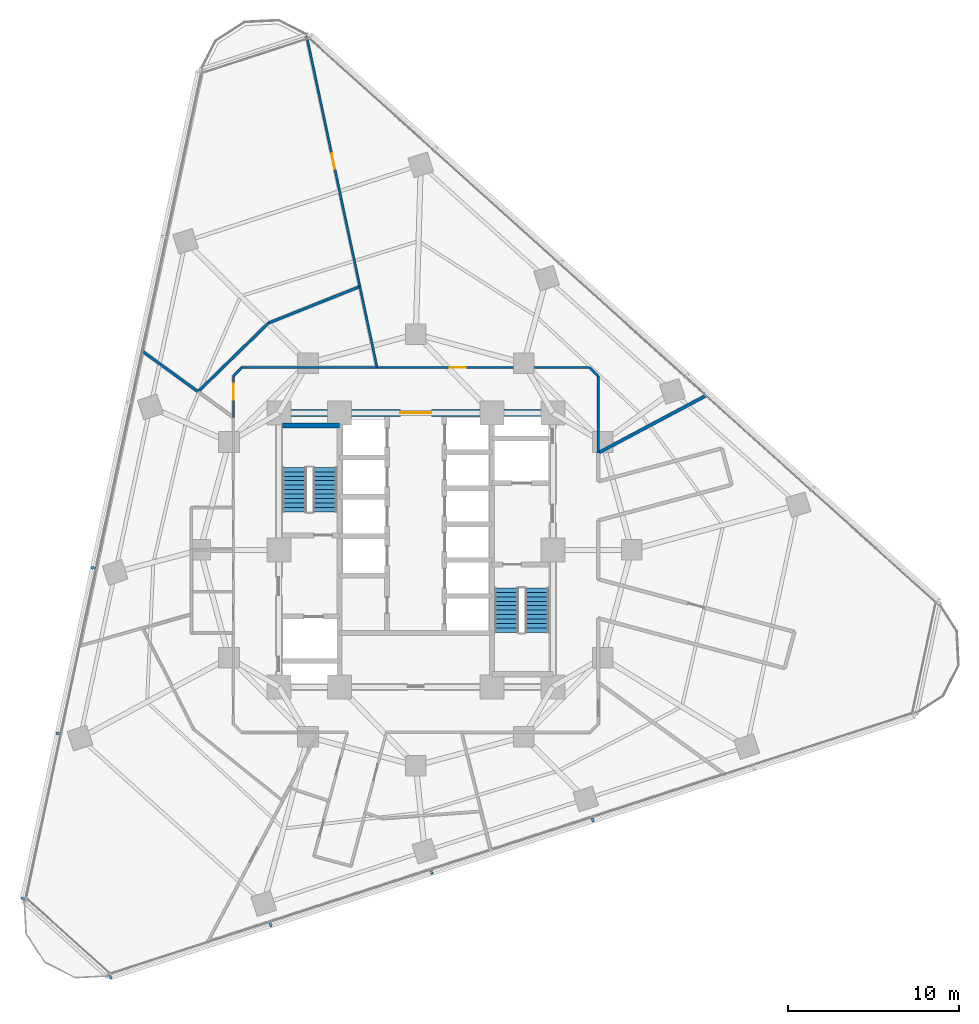
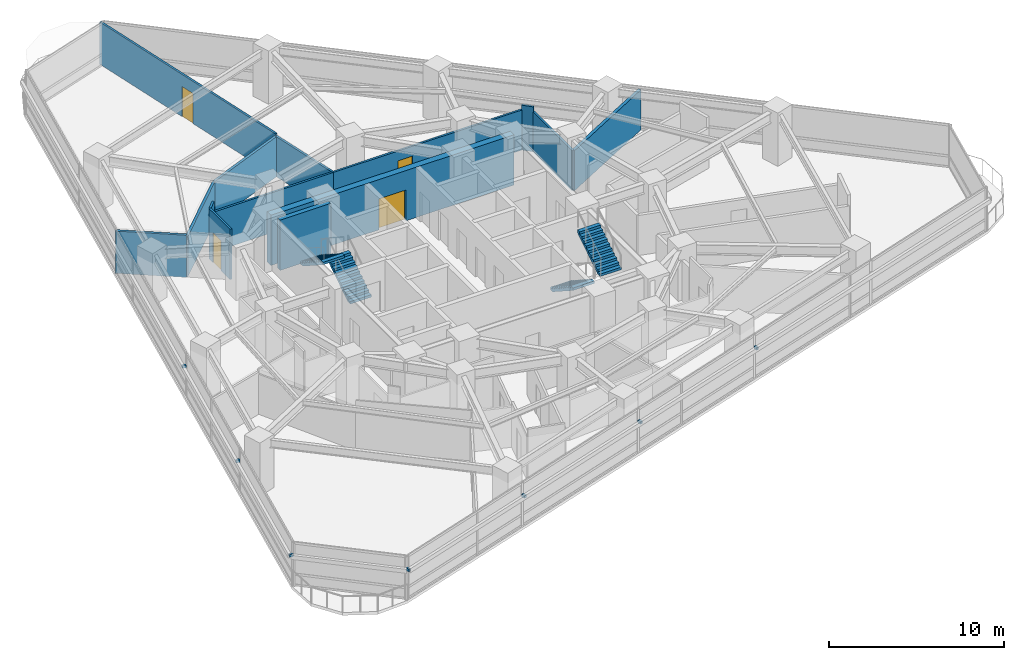
# One storey, part 9 of 13: 14 walls, 7 discrete accessories, 4 doors, 4 stair flights, 4 openings, 2 elements without a shape of their own.
"""IFC4 building model written with IfcOpenShell, lengths in metres."""

import ifcopenshell
import ifcopenshell.guid

model = None  # the IFC model being written
_history = None  # IfcOwnerHistory: only IFC2X3 demands one
_inside = {}  # id of a spatial element -> (the spatial element, [elements in it])
_under = {}  # id of a project, library or spatial element -> (it, [spatial elements below it])
_declared = {}  # id of a project -> (the project, [libraries it declares])
_typed = {}  # id of a type object -> (the type object, [elements of that type])
_made_of = {}  # id of a material, layer set ... -> (it, [elements and type objects made of it])


def new_model(schema):
    """Start an empty IFC model of exactly this schema.

    Asked for "IFC4X3", IfcOpenShell would pick the latest addendum, in which some entities
    have other attributes; the version numbers below select the first issue.
    IFC2X3 requires an IfcOwnerHistory on every rooted entity: one is made here for all.
    """
    global model, _history
    if schema == "IFC4X3":
        model = ifcopenshell.file(schema_version=(4, 3, 0, 0))
    else:
        model = ifcopenshell.file(schema=schema)
    _inside.clear()
    _under.clear()
    _declared.clear()
    _typed.clear()
    _made_of.clear()
    _history = None
    if model.schema == "IFC2X3":
        org = make("IfcOrganization", Name="unknown")
        user = make(
            "IfcPersonAndOrganization",
            ThePerson=make("IfcPerson", FamilyName="unknown"),
            TheOrganization=org,
        )
        app = make(
            "IfcApplication",
            ApplicationDeveloper=org,
            Version="unknown",
            ApplicationFullName="unknown",
            ApplicationIdentifier="unknown",
        )
        _history = make(
            "IfcOwnerHistory",
            OwningUser=user,
            OwningApplication=app,
            ChangeAction="ADDED",
            CreationDate=0,
        )
    return model


def make(cls, **values):
    """One entity of the class cls with the attributes given. An attribute that is None is left unset."""
    return model.create_entity(
        cls, **{name: value for name, value in values.items() if value is not None}
    )


def rooted(cls, **values):
    """An entity with a GlobalId (a new one), such as an element, a storey or a relation."""
    return make(cls, GlobalId=ifcopenshell.guid.new(), OwnerHistory=_history, **values)


def si_unit(unit_type, name, prefix=None):
    """IfcSIUnit, for example si_unit("LENGTHUNIT", "METRE", prefix="MILLI")."""
    return make("IfcSIUnit", UnitType=unit_type, Prefix=prefix, Name=name)


def assignment(units):
    """IfcUnitAssignment: the units of a project."""
    return None if units is None else make("IfcUnitAssignment", Units=units)


def point(xyz):
    """IfcCartesianPoint."""
    return None if xyz is None else make("IfcCartesianPoint", Coordinates=xyz)


def direction(xyz):
    """IfcDirection."""
    return None if xyz is None else make("IfcDirection", DirectionRatios=xyz)


def frame(location, z_axis=None, x_axis=None):
    """IfcAxis2Placement3D, a coordinate frame: its origin and axes. An axis left out is left unset."""
    return make(
        "IfcAxis2Placement3D",
        Location=point(location),
        Axis=direction(z_axis),
        RefDirection=direction(x_axis),
    )


def frame_2d(location, x_axis=None):
    """IfcAxis2Placement2D, a coordinate frame in the plane: its origin and x axis."""
    return make(
        "IfcAxis2Placement2D", Location=point(location), RefDirection=direction(x_axis)
    )


def origin():
    """The frame at (0, 0, 0) with its axes left unset."""
    return frame((0.0, 0.0, 0.0))


def origin_2d():
    """The frame at (0, 0) in the plane with its x axis left unset."""
    return frame_2d((0.0, 0.0))


def place(relative_to, where):
    """IfcLocalPlacement: puts the frame where relative to a parent placement (None: the world)."""
    return make(
        "IfcLocalPlacement", PlacementRelTo=relative_to, RelativePlacement=where
    )


def context(
    kind, dimensions, precision=None, world=None, true_north=None, identifier=None
):
    """IfcGeometricRepresentationContext, for example the 3D "Model" context."""
    return make(
        "IfcGeometricRepresentationContext",
        ContextIdentifier=identifier,
        ContextType=kind,
        CoordinateSpaceDimension=dimensions,
        Precision=precision,
        WorldCoordinateSystem=world,
        TrueNorth=true_north,
    )


def subcontext(parent, identifier, kind, view, scale=None):
    """IfcGeometricRepresentationSubContext, for example "Body" below "Model"."""
    return make(
        "IfcGeometricRepresentationSubContext",
        ContextIdentifier=identifier,
        ContextType=kind,
        ParentContext=parent,
        TargetScale=scale,
        TargetView=view,
    )


def project(units=None, contexts=None):
    """IfcProject with its units and contexts."""
    return rooted(
        "IfcProject",
        Name="project",
        RepresentationContexts=contexts,
        UnitsInContext=assignment(units),
    )


def spatial(cls, under=None, at=None, **own):
    """A site, building, storey or space (cls), placed at a placement, below another one or the project."""
    s = rooted(cls, ObjectPlacement=at, **own)
    if under is not None:
        _under.setdefault(under.id(), (under, []))[1].append(s)
    return s


def polyline(points):
    """IfcPolyline through the points."""
    return make("IfcPolyline", Points=[point(p) for p in points])


def profile(cls, at=None, kind="AREA", **sizes):
    """A parametric profile (cls). Its sizes go by their IFC names, for example OverallWidth=200.0."""
    return make(cls, ProfileType=kind, Position=at, **sizes)


def rectangle(**sizes):
    """IfcRectangleProfileDef."""
    return profile("IfcRectangleProfileDef", **sizes)


def outline(outer, holes=None, kind="AREA"):
    """IfcArbitraryClosedProfileDef: a profile drawn as a closed curve; with holes, ...WithVoids."""
    if holes is None:
        return make("IfcArbitraryClosedProfileDef", ProfileType=kind, OuterCurve=outer)
    return make(
        "IfcArbitraryProfileDefWithVoids",
        ProfileType=kind,
        OuterCurve=outer,
        InnerCurves=holes,
    )


def extrude(swept, where, along, depth):
    """IfcExtrudedAreaSolid: the profile swept, set in the frame where, extruded along a direction by depth."""
    return make(
        "IfcExtrudedAreaSolid",
        SweptArea=swept,
        Position=where,
        ExtrudedDirection=direction(along),
        Depth=depth,
    )


def shape(context_of_items, identifier, shape_type, items):
    """IfcShapeRepresentation: the items that make up one representation, for example the "Body"."""
    return make(
        "IfcShapeRepresentation",
        ContextOfItems=context_of_items,
        RepresentationIdentifier=identifier,
        RepresentationType=shape_type,
        Items=items,
    )


def material(Name=None, Category=None):
    """IfcMaterial."""
    return make("IfcMaterial", Name=Name, Category=Category)


def layer(
    of_material, thickness, ventilated=None, Name=None, Category=None, Priority=None
):
    """IfcMaterialLayer: one layer of a wall or slab, of a material (None: an air gap)."""
    return make(
        "IfcMaterialLayer",
        Material=of_material,
        LayerThickness=thickness,
        IsVentilated=ventilated,
        Name=Name,
        Category=Category,
        Priority=Priority,
    )


def layer_set(layers, Name=None):
    """IfcMaterialLayerSet."""
    return make("IfcMaterialLayerSet", MaterialLayers=layers, LayerSetName=Name)


def made_of(thing, what):
    """Note that an element or type object is made of a material, layer set ...; save() writes the relation."""
    if what is not None:
        _made_of.setdefault(what.id(), (what, []))[1].append(thing)
    return thing


def type_object(cls, material=None, **own):
    """A type object (cls), such as IfcWallType, which elements share."""
    return made_of(rooted(cls, **own), material)


def element(
    cls,
    number,
    at=None,
    inside=None,
    cuts=None,
    type_object=None,
    material=None,
    context=None,
    identifier="Body",
    shape_type=None,
    held_by="IfcProductDefinitionShape",
    body=None,
    shapes=None,
    **own,
):
    """One element of the class cls, such as IfcWall. Its Tag is "e" and its number.

    at: its placement. inside: the storey or other place that contains it. cuts: it is an
    opening in that element (IfcRelVoidsElement). A single representation is given by context,
    identifier, shape_type and body (its items); several are given by shapes. held_by: the class
    of the entity that holds the representations. save() writes the other relations.
    """
    e = rooted(cls, Tag="e%d" % number, ObjectPlacement=at, **own)
    if body is not None:
        shapes = [shape(context, identifier, shape_type, body)]
    if shapes is not None:
        e.Representation = make(held_by, Representations=shapes)
    if inside is not None:
        _inside.setdefault(inside.id(), (inside, []))[1].append(e)
    if cuts is not None:
        rooted(
            "IfcRelVoidsElement", RelatingBuildingElement=cuts, RelatedOpeningElement=e
        )
    if type_object is not None:
        _typed.setdefault(type_object.id(), (type_object, []))[1].append(e)
    return made_of(e, material)


def fill(opening, filler):
    """IfcRelFillsElement: the door or window that sits in an opening."""
    return rooted(
        "IfcRelFillsElement",
        RelatingOpeningElement=opening,
        RelatedBuildingElement=filler,
    )


def aggregate(whole, parts):
    """IfcRelAggregates: a whole, such as a stair, and the parts it consists of."""
    return rooted("IfcRelAggregates", RelatingObject=whole, RelatedObjects=parts)


def save(model, path):
    """Write the relations noted so far, then the file.

    IfcRelAggregates (storeys below a building ...), IfcRelContainedInSpatialStructure (elements
    in a storey), IfcRelDefinesByType, IfcRelAssociatesMaterial and IfcRelDeclares: one each for
    every whole, place, type object, material and project.
    """
    for whole, parts in _under.values():
        aggregate(whole, parts)
    for where, things in _inside.values():
        rooted(
            "IfcRelContainedInSpatialStructure",
            RelatedElements=things,
            RelatingStructure=where,
        )
    for kind, things in _typed.values():
        rooted("IfcRelDefinesByType", RelatedObjects=things, RelatingType=kind)
    for what, things in _made_of.values():
        rooted("IfcRelAssociatesMaterial", RelatedObjects=things, RelatingMaterial=what)
    for by, libraries in _declared.values():
        rooted("IfcRelDeclares", RelatingContext=by, RelatedDefinitions=libraries)
    model.write(path)


model = new_model("IFC4")

# Units and contexts
model_context = context("Model", 3, precision=1e-05, world=origin(), true_north=direction((0.0, 1.0)))
body_context = subcontext(model_context, "Body", "Model", "MODEL_VIEW")
ifc_project = project(units=[si_unit("LENGTHUNIT", "METRE"), si_unit("AREAUNIT", "SQUARE_METRE"), si_unit("VOLUMEUNIT", "CUBIC_METRE"), si_unit("PLANEANGLEUNIT", "RADIAN"), si_unit("MASSUNIT", "GRAM", prefix="KILO")], contexts=[model_context])

# Site, building, storey
site_placement = place(None, origin())
site = spatial("IfcSite", under=ifc_project, at=site_placement, CompositionType="ELEMENT")
building_placement = place(site_placement, origin())
building = spatial("IfcBuilding", under=site, at=building_placement, Name="Terralouvre Media Tower", CompositionType="ELEMENT")
storey_placement = place(building_placement, frame((0.0, 0.0, 90.300048828125)))
storey = spatial("IfcBuildingStorey", under=building, at=storey_placement, Name="L22", CompositionType="ELEMENT", Elevation=90.300048828125)

# Wall
ifc_material_1 = material(Name="Concrete C50/60", Category="concrete")
ifc_layer_1 = layer(ifc_material_1, 0.300048828125, Name="Core Internal Shaft Wall CW-300")
ifc_layer_set_1 = layer_set([ifc_layer_1], Name="Concrete C50/60")
wall_type_1 = type_object("IfcWallType", Name="Core Internal Shaft Wall CW-300", PredefinedType="SHEAR", material=ifc_layer_set_1)
wall_1_placement = place(storey_placement, frame((-7.7900390625, 7.260009765625, 0.0), z_axis=(0.0, 0.0, 1.0), x_axis=(1.0, 0.0, 0.0)))
element("IfcWall", 1, at=wall_1_placement, inside=storey, type_object=wall_type_1, Name="L22 Core Shaft Wall ST1F", PredefinedType="SHEAR", context=body_context, shape_type="SweptSolid", body=[
    extrude(rectangle(XDim=3.340087890625, YDim=0.300048828125, at=frame_2d((1.669921875, 0.0))), origin(), (0.0, 0.0, 1.0), 3.5),
])

# Wall, opening, door
ifc_material_2 = material(Name="Concrete C60/75", Category="concrete")
ifc_layer_2 = layer(ifc_material_2, 0.419921875, Name="Core Reinforced Concrete Shear Wall CW-420")
ifc_layer_set_2 = layer_set([ifc_layer_2], Name="Concrete C60/75")
wall_type_2 = type_object("IfcWallType", Name="Core Reinforced Concrete Shear Wall CW-420", PredefinedType="SHEAR", material=ifc_layer_set_2)
wall_2_placement = place(storey_placement, frame((-8.0, 8.0, 0.0), z_axis=(0.0, 0.0, 1.0), x_axis=(1.0, 0.0, 0.0)))
wall_2 = element("IfcWall", 2, at=wall_2_placement, inside=storey, type_object=wall_type_2, Name="L22 N Core Shear Wall", PredefinedType="SHEAR", context=body_context, shape_type="SweptSolid", body=[
    extrude(rectangle(XDim=16.0, YDim=0.419921875, at=frame_2d((8.0, 0.0))), origin(), (0.0, 0.0, 1.0), 3.5),
])
opening_1_placement = place(wall_2_placement, frame((7.10009765625, 0.0, 0.0)))
opening_1 = element("IfcOpeningElement", 3, at=opening_1_placement, cuts=wall_2, Name="Opening FD-03", PredefinedType="OPENING", context=body_context, shape_type="SweptSolid", body=[
    extrude(rectangle(XDim=1.800048828125, YDim=2.14990234375, at=frame_2d((0.89990234375, 1.074951171875))), frame((0.0, 0.219970703125, 0.0), z_axis=(0.0, -1.0, 0.0), x_axis=(1.0, 0.0, 0.0)), (0.0, 0.0, 1.0), 0.43994140625),
])
ifc_material_3 = material(Name="Galvanised steel fire-resisting leaf", Category="steel")
door_type_1 = type_object("IfcDoorType", Name="Corridor Smoke-Control Double Door FD-03", OperationType="DOUBLE_DOOR_SINGLE_SWING", PredefinedType="DOOR", material=ifc_material_3)
door_1_placement = place(opening_1_placement, origin())
door_1 = element("IfcDoor", 4, at=door_1_placement, inside=storey, type_object=door_type_1, Name="L22 Central Lift Lobby Portal Door", OperationType="DOUBLE_DOOR_SINGLE_SWING", OverallHeight=2.14990234375, OverallWidth=1.800048828125, PredefinedType="DOOR", context=body_context, shape_type="SweptSolid", body=[
    extrude(rectangle(XDim=1.800048828125, YDim=2.14990234375, at=frame_2d((0.89990234375, 1.074951171875))), frame((0.0, 0.02490234375, 0.0), z_axis=(0.0, -1.0, 0.0), x_axis=(1.0, 0.0, 0.0)), (0.0, 0.0, 1.0), 0.050048828125),
])
fill(opening_1, door_1)

# Walls
ifc_material_4 = material(Name="Fire-rated gypsum board drywall partition")
ifc_layer_3 = layer(ifc_material_4, 0.199951171875, Name="Fire-Rated Shaft and Lobby Partition FW-200")
ifc_layer_set_3 = layer_set([ifc_layer_3], Name="Fire-rated gypsum board drywall partition")
wall_type_3 = type_object("IfcWallType", Name="Fire-Rated Shaft and Lobby Partition FW-200", PredefinedType="SOLIDWALL", material=ifc_layer_set_3)
wall_3_placement = place(storey_placement, frame((16.980712890625, 9.029052734375, 0.0), z_axis=(0.0, 0.0, 1.0), x_axis=(-0.882958281143, -0.469451460496, 0.0)))
element("IfcWall", 5, at=wall_3_placement, inside=storey, type_object=wall_type_3, Name="L22 Interior Partition 034", PredefinedType="SOLIDWALL", context=body_context, shape_type="SweptSolid", body=[
    extrude(rectangle(XDim=7.169921875, YDim=0.199951171875, at=frame_2d((3.5849609375, 0.0))), origin(), (0.0, 0.0, 1.0), 2.784912109375),
])
ifc_material_5 = material(Name="Fire-rated gypsum board drywall partition")
ifc_layer_4 = layer(ifc_material_5, 0.135009765625, Name="Newsroom Acoustic Partition PT-135")
ifc_layer_set_4 = layer_set([ifc_layer_4], Name="Fire-rated gypsum board drywall partition")
wall_type_4 = type_object("IfcWallType", Name="Newsroom Acoustic Partition PT-135", PredefinedType="PARTITIONING", material=ifc_layer_set_4)
wall_4_placement = place(storey_placement, frame((10.64990234375, 5.6630859375, 0.0), z_axis=(0.0, 0.0, 1.0), x_axis=(0.0, 1.0, 0.0)))
element("IfcWall", 6, at=wall_4_placement, inside=storey, type_object=wall_type_4, Name="L22 Interior Partition 025", PredefinedType="PARTITIONING", context=body_context, shape_type="SweptSolid", body=[
    extrude(rectangle(XDim=4.48681640625, YDim=0.135009765625, at=frame_2d((2.243408203125, 0.0))), origin(), (0.0, 0.0, 1.0), 2.784912109375),
])
wall_5_placement = place(storey_placement, frame((10.64990234375, 10.14990234375, 0.0), z_axis=(0.0, 0.0, 1.0), x_axis=(-0.707106781187, 0.707106781187, 0.0)))
element("IfcWall", 7, at=wall_5_placement, inside=storey, type_object=wall_type_4, Name="L22 Interior Partition 026", PredefinedType="PARTITIONING", context=body_context, shape_type="SweptSolid", body=[
    extrude(rectangle(XDim=0.70703125, YDim=0.135009765625, at=frame_2d((0.353515625, 0.0))), origin(), (0.0, 0.0, 1.0), 3.125),
])

# Wall, opening, door
wall_6_placement = place(storey_placement, frame((10.14990234375, 10.64990234375, 0.0), z_axis=(0.0, 0.0, 1.0), x_axis=(-1.0, 0.0, 0.0)))
wall_6 = element("IfcWall", 8, at=wall_6_placement, inside=storey, type_object=wall_type_4, Name="L22 Interior Partition 027", PredefinedType="PARTITIONING", context=body_context, shape_type="SweptSolid", body=[
    extrude(rectangle(XDim=12.413818359375, YDim=0.135009765625, at=frame_2d((6.20703125, 0.0))), origin(), (0.0, 0.0, 1.0), 2.784912109375),
])
opening_2_placement = place(wall_6_placement, frame((7.2216796875, 0.0, 0.0)))
opening_2 = element("IfcOpeningElement", 9, at=opening_2_placement, cuts=wall_6, Name="Opening ID-02-95X210", PredefinedType="OPENING", context=body_context, shape_type="SweptSolid", body=[
    extrude(rectangle(XDim=0.949951171875, YDim=2.10009765625, at=frame_2d((0.47509765625, 1.050048828125))), frame((0.0, 0.077392578125, 0.0), z_axis=(0.0, -1.0, 0.0), x_axis=(1.0, 0.0, 0.0)), (0.0, 0.0, 1.0), 0.155029296875),
])
ifc_material_6 = material(Name="Engineered hardwood acoustic timber leaf", Category="wood")
door_type_2 = type_object("IfcDoorType", Name="Office and Meeting Room Door ID-02 (950x2100)", OperationType="NOTDEFINED", PredefinedType="DOOR", material=ifc_material_6)
door_2_placement = place(opening_2_placement, origin())
door_2 = element("IfcDoor", 10, at=door_2_placement, inside=storey, type_object=door_type_2, Name="L22 Sound Transfer Closet 8 Door", OperationType="SINGLE_SWING_RIGHT", OverallHeight=2.10009765625, OverallWidth=0.949951171875, PredefinedType="DOOR", context=body_context, shape_type="SweptSolid", body=[
    extrude(rectangle(XDim=0.949951171875, YDim=2.10009765625, at=frame_2d((0.47509765625, 1.050048828125))), frame((0.0, 0.02490234375, 0.0), z_axis=(0.0, -1.0, 0.0), x_axis=(1.0, 0.0, 0.0)), (0.0, 0.0, 1.0), 0.050048828125),
])
fill(opening_2, door_2)

# Walls
wall_7_placement = place(storey_placement, frame((-2.263916015625, 10.64990234375, 0.0), z_axis=(0.0, 0.0, 1.0), x_axis=(-1.0, 0.0, 0.0)))
element("IfcWall", 11, at=wall_7_placement, inside=storey, type_object=wall_type_4, Name="L22 Interior Partition 028", PredefinedType="PARTITIONING", context=body_context, shape_type="SweptSolid", body=[
    extrude(rectangle(XDim=7.885986328125, YDim=0.135009765625, at=frame_2d((3.94287109375, 0.0))), origin(), (0.0, 0.0, 1.0), 2.784912109375),
])
wall_8_placement = place(storey_placement, frame((-10.14990234375, 10.64990234375, 0.0), z_axis=(0.0, 0.0, 1.0), x_axis=(-0.707106781187, -0.707106781187, 0.0)))
element("IfcWall", 12, at=wall_8_placement, inside=storey, type_object=wall_type_4, Name="L22 Interior Partition 029", PredefinedType="PARTITIONING", context=body_context, shape_type="SweptSolid", body=[
    extrude(rectangle(XDim=0.70703125, YDim=0.135009765625, at=frame_2d((0.353515625, 0.0))), origin(), (0.0, 0.0, 1.0), 3.5),
])

# Wall, opening, door
wall_9_placement = place(storey_placement, frame((-10.64990234375, 10.14990234375, 0.0), z_axis=(0.0, 0.0, 1.0), x_axis=(0.0, -1.0, 0.0)))
wall_9 = element("IfcWall", 13, at=wall_9_placement, inside=storey, type_object=wall_type_4, Name="L22 Interior Partition 030", PredefinedType="PARTITIONING", context=body_context, shape_type="SweptSolid", body=[
    extrude(rectangle(XDim=2.411865234375, YDim=0.135009765625, at=frame_2d((1.2060546875, 0.0))), origin(), (0.0, 0.0, 1.0), 3.5),
])
opening_3_placement = place(wall_9_placement, frame((0.441650390625, 0.0, 0.0)))
opening_3 = element("IfcOpeningElement", 14, at=opening_3_placement, cuts=wall_9, Name="Opening ID-02-95X210", PredefinedType="OPENING", context=body_context, shape_type="SweptSolid", body=[
    extrude(rectangle(XDim=0.949951171875, YDim=2.10009765625, at=frame_2d((0.47509765625, 1.050048828125))), frame((0.0, 0.077392578125, 0.0), z_axis=(0.0, -1.0, 0.0), x_axis=(1.0, 0.0, 0.0)), (0.0, 0.0, 1.0), 0.155029296875),
])
door_3_placement = place(opening_3_placement, origin())
door_3 = element("IfcDoor", 15, at=door_3_placement, inside=storey, type_object=door_type_2, Name="L22 Client Cut Review Theatre 10 Door", OperationType="SINGLE_SWING_LEFT", OverallHeight=2.10009765625, OverallWidth=0.949951171875, PredefinedType="DOOR", context=body_context, shape_type="SweptSolid", body=[
    extrude(rectangle(XDim=0.949951171875, YDim=2.10009765625, at=frame_2d((0.47509765625, 1.050048828125))), frame((0.0, 0.02490234375, 0.0), z_axis=(0.0, -1.0, 0.0), x_axis=(1.0, 0.0, 0.0)), (0.0, 0.0, 1.0), 0.050048828125),
])
fill(opening_3, door_3)

wall_10_placement = place(storey_placement, frame((-6.380615234375, 30.0205078125, 0.0), z_axis=(0.0, 0.0, 1.0), x_axis=(0.207886847462, -0.978152881022, 0.0)))
wall_10 = element("IfcWall", 16, at=wall_10_placement, inside=storey, type_object=wall_type_4, Name="L22 Interior Partition 053", PredefinedType="PARTITIONING", context=body_context, shape_type="SweptSolid", body=[
    extrude(rectangle(XDim=14.967529296875, YDim=0.135009765625, at=frame_2d((7.48388671875, 0.0))), origin(), (0.0, 0.0, 1.0), 2.93505859375),
])
opening_4_placement = place(wall_10_placement, frame((7.023681640625, 0.0, 0.0)))
opening_4 = element("IfcOpeningElement", 17, at=opening_4_placement, cuts=wall_10, Name="Opening ID-03-92X210", PredefinedType="OPENING", context=body_context, shape_type="SweptSolid", body=[
    extrude(rectangle(XDim=0.919921875, YDim=2.10009765625, at=frame_2d((0.4599609375, 1.050048828125))), frame((0.0, 0.077392578125, 0.0), z_axis=(0.0, -1.0, 0.0), x_axis=(1.0, 0.0, 0.0)), (0.0, 0.0, 1.0), 0.155029296875),
])
ifc_material_7 = material(Name="Engineered hardwood acoustic timber leaf", Category="wood")
door_type_3 = type_object("IfcDoorType", Name="Accessible Restroom and Suite Door ID-03 (920x2100)", OperationType="NOTDEFINED", PredefinedType="DOOR", material=ifc_material_7)
door_4_placement = place(opening_4_placement, origin())
door_4 = element("IfcDoor", 18, at=door_4_placement, inside=storey, type_object=door_type_3, Name="L22 Dolby Preview Screening Cinema 9 Door", OperationType="SINGLE_SWING_LEFT", OverallHeight=2.10009765625, OverallWidth=0.919921875, PredefinedType="DOOR", context=body_context, shape_type="SweptSolid", body=[
    extrude(rectangle(XDim=0.919921875, YDim=2.10009765625, at=frame_2d((0.4599609375, 1.050048828125))), frame((0.0, 0.02490234375, 0.0), z_axis=(0.0, -1.0, 0.0), x_axis=(1.0, 0.0, 0.0)), (0.0, 0.0, 1.0), 0.050048828125),
])
fill(opening_4, door_4)

# Walls
wall_11_placement = place(storey_placement, frame((-3.26904296875, 15.3798828125, 0.0), z_axis=(0.0, 0.0, 1.0), x_axis=(0.207859963491, -0.978158594287, 0.0)))
element("IfcWall", 19, at=wall_11_placement, inside=storey, type_object=wall_type_4, Name="L22 Interior Partition 054", PredefinedType="PARTITIONING", context=body_context, shape_type="SweptSolid", body=[
    extrude(rectangle(XDim=4.835693359375, YDim=0.135009765625, at=frame_2d((2.41796875, 0.0))), origin(), (0.0, 0.0, 1.0), 2.784912109375),
])
ifc_material_8 = material(Name="Fire-rated gypsum board drywall partition")
ifc_layer_5 = layer(ifc_material_8, 0.159912109375, Name="Studio Acoustic Rated Partition PT-160")
ifc_layer_set_5 = layer_set([ifc_layer_5], Name="Fire-rated gypsum board drywall partition")
wall_type_5 = type_object("IfcWallType", Name="Studio Acoustic Rated Partition PT-160", PredefinedType="PARTITIONING", material=ifc_layer_set_5)
wall_12_placement = place(storey_placement, frame((-12.720947265625, 9.241943359375, 0.0), z_axis=(0.0, 0.0, 1.0), x_axis=(0.716351016203, 0.697740081682, 0.0)))
element("IfcWall", 20, at=wall_12_placement, inside=storey, type_object=wall_type_5, Name="L22 Interior Partition 055", PredefinedType="PARTITIONING", context=body_context, shape_type="SweptSolid", body=[
    extrude(rectangle(XDim=5.745849609375, YDim=0.159912109375, at=frame_2d((2.873046875, 0.0))), origin(), (0.0, 0.0, 1.0), 2.784912109375),
])
wall_13_placement = place(storey_placement, frame((-8.60498046875, 13.2509765625, 0.0), z_axis=(0.0, 0.0, 1.0), x_axis=(0.928804577443, 0.370569908277, 0.0)))
element("IfcWall", 21, at=wall_13_placement, inside=storey, type_object=wall_type_5, Name="L22 Interior Partition 056", PredefinedType="PARTITIONING", context=body_context, shape_type="SweptSolid", body=[
    extrude(rectangle(XDim=5.744873046875, YDim=0.159912109375, at=frame_2d((2.87255859375, 0.0))), origin(), (0.0, 0.0, 1.0), 2.784912109375),
])
wall_14_placement = place(storey_placement, frame((-16.00439453125, 11.627685546875, 0.0), z_axis=(0.0, 0.0, 1.0), x_axis=(0.80899612579, -0.587813974364, 0.0)))
element("IfcWall", 22, at=wall_14_placement, inside=storey, type_object=wall_type_5, Name="L22 Interior Partition 057", PredefinedType="PARTITIONING", context=body_context, shape_type="SweptSolid", body=[
    extrude(rectangle(XDim=4.05859375, YDim=0.159912109375, at=frame_2d((2.029296875, 0.0))), origin(), (0.0, 0.0, 1.0), 2.93505859375),
])

# Stair, stair flights
ifc_material_9 = material(Name="Concrete C45/55", Category="concrete")
stair_type_1 = type_object("IfcStairType", Name="Dogleg Stair Assembly ST-01", PredefinedType="HALF_TURN_STAIR", material=ifc_material_9)
stair_1_placement = place(storey_placement, origin())
stair_1 = element("IfcStair", 23, at=stair_1_placement, inside=storey, type_object=stair_type_1, Name="L22 Core Pressurised Exit Stair ST-01", PredefinedType="HALF_TURN_STAIR")
ifc_material_10 = material(Name="Concrete C45/55", Category="concrete")
stair_flight_type = type_object("IfcStairFlightType", Name="Reinforced Concrete Stair Flight SF-RC1", PredefinedType="STRAIGHT", material=ifc_material_10)
stair_flight_1_placement = place(storey_placement, frame((-5.300048828125, 2.219970703125, 0.0), z_axis=(0.0, 0.0, 1.0), x_axis=(0.0, 1.0, 0.0)))
stair_flight_1 = element("IfcStairFlight", 24, at=stair_flight_1_placement, type_object=stair_flight_type, Name="ST-01 flight 1", NumberOfRisers=11, NumberOfTreads=10, PredefinedType="STRAIGHT", RiserHeight=0.168181818, TreadLength=0.26, context=body_context, shape_type="SweptSolid", body=[
    extrude(outline(polyline([(0.0, 0.0), (0.0, 0.168212890625), (0.260009765625, 0.168212890625), (0.260009765625, 0.33642578125), (0.52001953125, 0.33642578125), (0.52001953125, 0.504638671875), (0.780029296875, 0.504638671875), (0.780029296875, 0.672607421875), (1.0400390625, 0.672607421875), (1.0400390625, 0.8408203125), (1.300048828125, 0.8408203125), (1.300048828125, 1.009033203125), (1.56005859375, 1.009033203125), (1.56005859375, 1.17724609375), (1.820068359375, 1.17724609375), (1.820068359375, 1.345458984375), (2.080078125, 1.345458984375), (2.080078125, 1.513671875), (2.340087890625, 1.513671875), (2.340087890625, 1.681884765625), (2.60009765625, 1.681884765625), (2.60009765625, 1.85009765625), (2.60009765625, 1.503173828125), (0.27587890625, 0.0), (0.0, 0.0)])), frame((0.0, 0.699951171875, 0.0), z_axis=(0.0, -1.0, 0.0), x_axis=(1.0, 0.0, 0.0)), (0.0, 0.0, 1.0), 1.39990234375),
])
stair_flight_2_placement = place(storey_placement, frame((-7.080078125, 4.820068359375, 1.849853515625), z_axis=(0.0, 0.0, 1.0), x_axis=(0.0, -1.0, 0.0)))
stair_flight_2 = element("IfcStairFlight", 25, at=stair_flight_2_placement, type_object=stair_flight_type, Name="ST-01 flight 2", NumberOfRisers=11, NumberOfTreads=10, PredefinedType="STRAIGHT", RiserHeight=0.168181818, TreadLength=0.26, context=body_context, shape_type="SweptSolid", body=[
    extrude(outline(polyline([(0.0, 0.0), (0.0, 0.168212890625), (0.260009765625, 0.168212890625), (0.260009765625, 0.33642578125), (0.52001953125, 0.33642578125), (0.52001953125, 0.504638671875), (0.780029296875, 0.504638671875), (0.780029296875, 0.672607421875), (1.0400390625, 0.672607421875), (1.0400390625, 0.8408203125), (1.300048828125, 0.8408203125), (1.300048828125, 1.009033203125), (1.56005859375, 1.009033203125), (1.56005859375, 1.17724609375), (1.820068359375, 1.17724609375), (1.820068359375, 1.345458984375), (2.080078125, 1.345458984375), (2.080078125, 1.513671875), (2.340087890625, 1.513671875), (2.340087890625, 1.681884765625), (2.60009765625, 1.681884765625), (2.60009765625, 1.85009765625), (2.60009765625, 1.503173828125), (0.27587890625, 0.0), (0.0, 0.0)])), frame((0.0, 0.699951171875, 0.0), z_axis=(0.0, -1.0, 0.0), x_axis=(1.0, 0.0, 0.0)), (0.0, 0.0, 1.0), 1.39990234375),
])
aggregate(stair_1, [stair_flight_1, stair_flight_2])

ifc_material_11 = material(Name="Concrete C45/55", Category="concrete")
stair_type_2 = type_object("IfcStairType", Name="Dogleg Stair Assembly ST-02", PredefinedType="HALF_TURN_STAIR", material=ifc_material_11)
stair_2_placement = place(storey_placement, origin())
stair_2 = element("IfcStair", 26, at=stair_2_placement, inside=storey, type_object=stair_type_2, Name="L22 Core Pressurised Exit Stair ST-02", PredefinedType="HALF_TURN_STAIR")
stair_flight_3_placement = place(storey_placement, frame((5.300048828125, -2.219970703125, 0.0), z_axis=(0.0, 0.0, 1.0), x_axis=(0.0, -1.0, 0.0)))
stair_flight_3 = element("IfcStairFlight", 27, at=stair_flight_3_placement, type_object=stair_flight_type, Name="ST-02 flight 1", NumberOfRisers=11, NumberOfTreads=10, PredefinedType="STRAIGHT", RiserHeight=0.168181818, TreadLength=0.26, context=body_context, shape_type="SweptSolid", body=[
    extrude(outline(polyline([(0.0, 0.0), (0.0, 0.168212890625), (0.260009765625, 0.168212890625), (0.260009765625, 0.33642578125), (0.52001953125, 0.33642578125), (0.52001953125, 0.504638671875), (0.780029296875, 0.504638671875), (0.780029296875, 0.672607421875), (1.0400390625, 0.672607421875), (1.0400390625, 0.8408203125), (1.300048828125, 0.8408203125), (1.300048828125, 1.009033203125), (1.56005859375, 1.009033203125), (1.56005859375, 1.17724609375), (1.820068359375, 1.17724609375), (1.820068359375, 1.345458984375), (2.080078125, 1.345458984375), (2.080078125, 1.513671875), (2.340087890625, 1.513671875), (2.340087890625, 1.681884765625), (2.60009765625, 1.681884765625), (2.60009765625, 1.85009765625), (2.60009765625, 1.503173828125), (0.27587890625, 0.0), (0.0, 0.0)])), frame((0.0, 0.699951171875, 0.0), z_axis=(0.0, -1.0, 0.0), x_axis=(1.0, 0.0, 0.0)), (0.0, 0.0, 1.0), 1.39990234375),
])
stair_flight_4_placement = place(storey_placement, frame((7.080078125, -4.820068359375, 1.849853515625), z_axis=(0.0, 0.0, 1.0), x_axis=(0.0, 1.0, 0.0)))
stair_flight_4 = element("IfcStairFlight", 28, at=stair_flight_4_placement, type_object=stair_flight_type, Name="ST-02 flight 2", NumberOfRisers=11, NumberOfTreads=10, PredefinedType="STRAIGHT", RiserHeight=0.168181818, TreadLength=0.26, context=body_context, shape_type="SweptSolid", body=[
    extrude(outline(polyline([(0.0, 0.0), (0.0, 0.168212890625), (0.260009765625, 0.168212890625), (0.260009765625, 0.33642578125), (0.52001953125, 0.33642578125), (0.52001953125, 0.504638671875), (0.780029296875, 0.504638671875), (0.780029296875, 0.672607421875), (1.0400390625, 0.672607421875), (1.0400390625, 0.8408203125), (1.300048828125, 0.8408203125), (1.300048828125, 1.009033203125), (1.56005859375, 1.009033203125), (1.56005859375, 1.17724609375), (1.820068359375, 1.17724609375), (1.820068359375, 1.345458984375), (2.080078125, 1.345458984375), (2.080078125, 1.513671875), (2.340087890625, 1.513671875), (2.340087890625, 1.681884765625), (2.60009765625, 1.681884765625), (2.60009765625, 1.85009765625), (2.60009765625, 1.503173828125), (0.27587890625, 0.0), (0.0, 0.0)])), frame((0.0, 0.699951171875, 0.0), z_axis=(0.0, -1.0, 0.0), x_axis=(1.0, 0.0, 0.0)), (0.0, 0.0, 1.0), 1.39990234375),
])
aggregate(stair_2, [stair_flight_3, stair_flight_4])

# Discrete accessories
ifc_material_12 = material(Name="Anodised extruded aluminium 6063-T6", Category="aluminium")
discrete_accessory_type = type_object("IfcDiscreteAccessoryType", Name="Mullion Stand-Off Baguette Fixing Bracket BK-01", PredefinedType="BRACKET", material=ifc_material_12)
for number, where, z_axis, x_axis, name in (
    (29, (-17.852783203125, -24.928955078125, 2.07421875), (0.0, 0.0, 1.0), (0.951056509451, 0.309017015439, 0.0), "CW-L22-F0 Baguette Outrigger Bracket 1.01"),
    (30, (-8.484375, -21.885009765625, 2.07421875), (0.0, 0.0, 1.0), (0.951056509451, 0.309017015439, 0.0), "CW-L22-F0 Baguette Outrigger Bracket 1.02"),
    (31, (0.919677734375, -18.82958984375, 2.07421875), (0.0, 0.0, 1.0), (0.951056509451, 0.309017015439, 0.0), "CW-L22-F0 Baguette Outrigger Bracket 1.03"),
    (32, (10.32373046875, -15.77392578125, 2.07421875), (0.0, 0.0, 1.0), (0.951056509451, 0.309017015439, 0.0), "CW-L22-F0 Baguette Outrigger Bracket 1.04"),
    (33, (-18.822509765625, -1.0537109375, 2.07421875), (0.0, 0.0, 1.0), (-0.207911643887, -0.978147610709, 0.0), "CW-L22-F2 Baguette Outrigger Bracket 1.04"),
    (34, (-20.87841796875, -10.7255859375, 2.07421875), (0.0, 0.0, 1.0), (-0.207911643887, -0.978147610709, 0.0), "CW-L22-F2 Baguette Outrigger Bracket 1.05"),
    (35, (-22.92626953125, -20.36083984375, 2.07421875), (0.0, 0.0, 1.0), (-0.207911643887, -0.978147610709, 0.0), "CW-L22-F2 Baguette Outrigger Bracket 1.06"),
):
    element("IfcDiscreteAccessory", number, at=place(storey_placement, frame(where, z_axis=z_axis, x_axis=x_axis)), inside=storey, type_object=discrete_accessory_type, Name=name, PredefinedType="BRACKET", context=body_context, shape_type="SweptSolid", body=[
        extrude(rectangle(XDim=0.139892578125, YDim=0.239990234375, at=origin_2d()), origin(), (0.0, 0.0, 1.0), 0.179931640625),
    ])

save(model, "model.ifc")
